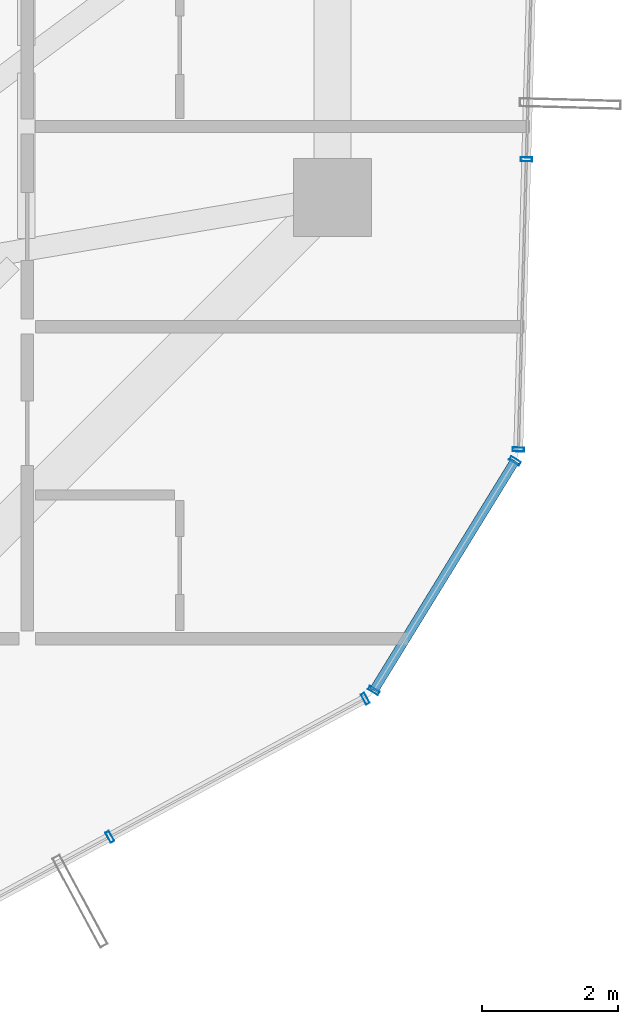
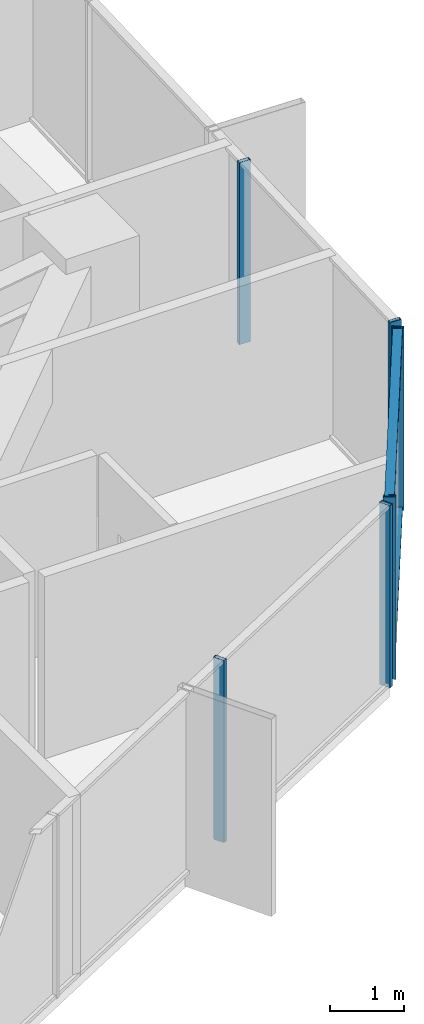
# One storey, part 13 of 30: 8 members, 3 elements without a shape of their own.
"""IFC4 building model written with IfcOpenShell, lengths in metres."""

from ifc_helpers import new_model, si_unit, direction, frame, origin, origin_2d, place, context, subcontext, project, spatial, hollow_rectangle, extrude, source, transform, mapped, material, layer, layer_set, material_profile, profile_set, type_object, element, aggregate, save


model = new_model("IFC4")

# Units and contexts
model_context = context("Model", 3, precision=1e-05, world=origin(), true_north=direction((0.0, 1.0)))
body_context = subcontext(model_context, "Body", "Model", "MODEL_VIEW")
ifc_project = project(units=[si_unit("LENGTHUNIT", "METRE"), si_unit("AREAUNIT", "SQUARE_METRE"), si_unit("VOLUMEUNIT", "CUBIC_METRE"), si_unit("PLANEANGLEUNIT", "RADIAN"), si_unit("MASSUNIT", "GRAM", prefix="KILO")], contexts=[model_context])

# Site, building, storey
site_placement = place(None, origin())
site = spatial("IfcSite", under=ifc_project, at=site_placement, CompositionType="ELEMENT")
building_placement = place(site_placement, origin())
building = spatial("IfcBuilding", under=site, at=building_placement, Name="Veraguas Prism Commons", CompositionType="ELEMENT")
storey_placement = place(building_placement, frame((0.0, 0.0, 123.0)))
storey = spatial("IfcBuildingStorey", under=building, at=storey_placement, Name="L34", CompositionType="ELEMENT", Elevation=123.0)

# Curtain wall, members
ifc_material = material(Name="Anodised aluminium EN AW-6063 T6", Category="aluminium")
ifc_layer = layer(ifc_material, 0.169921875, Name="Unitised Flush Curtain Wall Zone 2", Category="aluminium")
ifc_layer_set = layer_set([ifc_layer], Name="Anodised aluminium EN AW-6063 T6")
curtain_wall_type = type_object("IfcCurtainWallType", Name="Unitised Flush Curtain Wall Zone 2", PredefinedType="NOTDEFINED", material=ifc_layer_set)
curtain_wall_1_placement = place(storey_placement, origin())
curtain_wall_1 = element("IfcCurtainWall", 1, at=curtain_wall_1_placement, inside=storey, type_object=curtain_wall_type, Name="Tower Facade Curtain Wall L34-F5", PredefinedType="NOTDEFINED")
ifc_material_profile_1 = material_profile(ifc_material, hollow_rectangle(XDim=0.06005859375, YDim=0.169921875, WallThickness=0.00390625, at=origin_2d()), Name="AL60X170X4")
ifc_profile_set_1 = profile_set([ifc_material_profile_1], Name="Anodised aluminium EN AW-6063 T6")
member_type_1 = type_object("IfcMemberType", Name="Curtain Wall Mullion Lower AL 60x170x4", PredefinedType="MULLION", material=ifc_profile_set_1)
shared_shape_1 = source(origin(), body_context, "Body", "SweptSolid", [
    extrude(hollow_rectangle(XDim=0.06005859375, YDim=0.169921875, WallThickness=0.00390625, at=origin_2d()), origin(), (0.0, 0.0, 1.0), 3.0),
])
member_1_placement = place(storey_placement, frame((36.9189453125, 9.179931640625, 0.0), z_axis=(0.0, 0.0, 1.0), x_axis=(0.879484156418, 0.475928165389, 0.0)))
member_1 = element("IfcMember", 2, at=member_1_placement, type_object=member_type_1, Name="CW-Z2 Mullion 4", PredefinedType="MULLION", context=body_context, shape_type="MappedRepresentation", body=[
    mapped(shared_shape_1, transform((0.0, 0.0, 0.0), scale=1.0)),
])
member_2_placement = place(storey_placement, frame((40.681884765625, 11.21630859375, 0.0), z_axis=(0.0, 0.0, 1.0), x_axis=(0.879484156418, 0.475928165389, 0.0)))
member_2 = element("IfcMember", 3, at=member_2_placement, type_object=member_type_1, Name="CW-Z2 Mullion 5", PredefinedType="MULLION", context=body_context, shape_type="MappedRepresentation", body=[
    mapped(shared_shape_1, transform((0.0, 0.0, 0.0), scale=1.0)),
])
aggregate(curtain_wall_1, [member_1, member_2])

curtain_wall_2_placement = place(storey_placement, origin())
curtain_wall_2 = element("IfcCurtainWall", 4, at=curtain_wall_2_placement, inside=storey, type_object=curtain_wall_type, Name="Tower Facade Curtain Wall L34-F6", PredefinedType="NOTDEFINED")
member_3_placement = place(storey_placement, frame((42.9384765625, 14.88720703125, 0.0), z_axis=(0.0, 0.0, 1.0), x_axis=(0.027567473277, 0.999619944988, 0.0)))
member_3 = element("IfcMember", 5, at=member_3_placement, type_object=member_type_1, Name="CW-Z2 Mullion 1", PredefinedType="MULLION", context=body_context, shape_type="MappedRepresentation", body=[
    mapped(shared_shape_1, transform((0.0, 0.0, 0.0), scale=1.0)),
])
member_4_placement = place(storey_placement, frame((43.056396484375, 19.1640625, 0.0), z_axis=(0.0, 0.0, 1.0), x_axis=(0.027567473277, 0.999619944988, 0.0)))
member_4 = element("IfcMember", 6, at=member_4_placement, type_object=member_type_1, Name="CW-Z2 Mullion 2", PredefinedType="MULLION", context=body_context, shape_type="MappedRepresentation", body=[
    mapped(shared_shape_1, transform((0.0, 0.0, 0.0), scale=1.0)),
])
aggregate(curtain_wall_2, [member_3, member_4])

curtain_wall_3_placement = place(storey_placement, origin())
curtain_wall_3 = element("IfcCurtainWall", 7, at=curtain_wall_3_placement, inside=storey, type_object=curtain_wall_type, Name="Chamfer Curtain Wall L34-C6", PredefinedType="NOTDEFINED")
member_5_placement = place(storey_placement, frame((40.80810546875, 11.335693359375, 0.0), z_axis=(0.0, 0.0, 1.0), x_axis=(0.52368410467, 0.85191252985, 0.0)))
member_5 = element("IfcMember", 8, at=member_5_placement, type_object=member_type_1, Name="CW-Z2 Mullion 1", PredefinedType="MULLION", context=body_context, shape_type="MappedRepresentation", body=[
    mapped(shared_shape_1, transform((0.0, 0.0, 0.0), scale=1.0)),
])
member_6_placement = place(storey_placement, frame((42.888671875, 14.720458984375, 0.0), z_axis=(0.0, 0.0, 1.0), x_axis=(0.52368410467, 0.85191252985, 0.0)))
member_6 = element("IfcMember", 9, at=member_6_placement, type_object=member_type_1, Name="CW-Z2 Mullion 2", PredefinedType="MULLION", context=body_context, shape_type="MappedRepresentation", body=[
    mapped(shared_shape_1, transform((0.0, 0.0, 0.0), scale=1.0)),
])
ifc_material_profile_2 = material_profile(ifc_material, hollow_rectangle(XDim=0.054931640625, YDim=0.135009765625, WallThickness=0.0029296875, at=origin_2d()), Name="AL55X135X3")
ifc_profile_set_2 = profile_set([ifc_material_profile_2], Name="Anodised aluminium EN AW-6063 T6")
member_type_2 = type_object("IfcMemberType", Name="Curtain Wall Transom Standard AL 55x135x3", PredefinedType="USERDEFINED", material=ifc_profile_set_2)
shared_shape_2 = source(origin(), body_context, "Body", "SweptSolid", [
    extrude(hollow_rectangle(XDim=0.054931640625, YDim=0.135009765625, WallThickness=0.0029296875, at=origin_2d()), origin(), (0.0, 0.0, 1.0), 3.97314453125),
])
member_7_placement = place(storey_placement, frame((40.80810546875, 11.335693359375, 0.027587890625), z_axis=(0.523665371617, 0.851924045071, 0.0), x_axis=(0.0, 0.0, 1.0)))
member_7 = element("IfcMember", 10, at=member_7_placement, type_object=member_type_2, Name="CW-Z2 Transom 1", ObjectType="TRANSOM", PredefinedType="USERDEFINED", context=body_context, shape_type="MappedRepresentation", body=[
    mapped(shared_shape_2, transform((0.0, 0.0, 0.0), scale=1.0)),
])
member_8_placement = place(storey_placement, frame((40.80810546875, 11.335693359375, 2.972412109375), z_axis=(0.523665371617, 0.851924045071, 0.0), x_axis=(0.0, 0.0, 1.0)))
member_8 = element("IfcMember", 11, at=member_8_placement, type_object=member_type_2, Name="CW-Z2 Transom 2", ObjectType="TRANSOM", PredefinedType="USERDEFINED", context=body_context, shape_type="MappedRepresentation", body=[
    mapped(shared_shape_2, transform((0.0, 0.0, 0.0), scale=1.0)),
])
aggregate(curtain_wall_3, [member_5, member_6, member_7, member_8])

save(model, "model.ifc")
